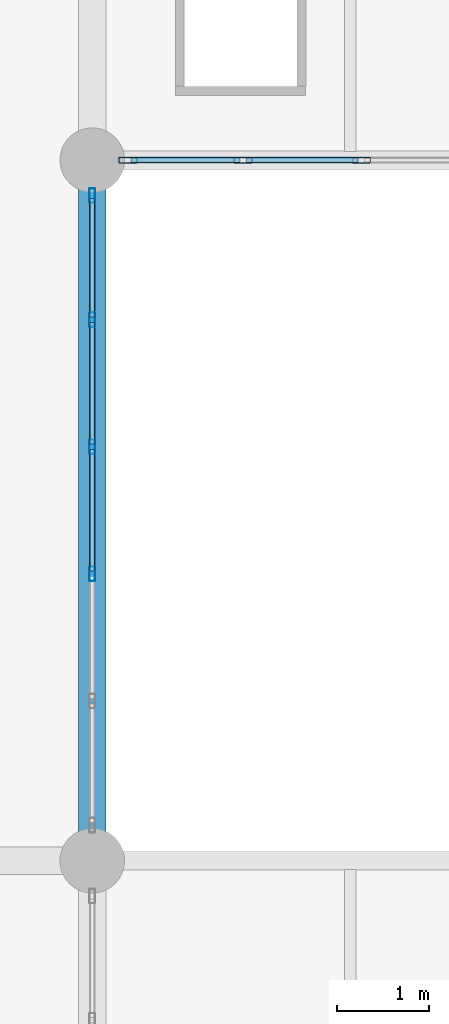
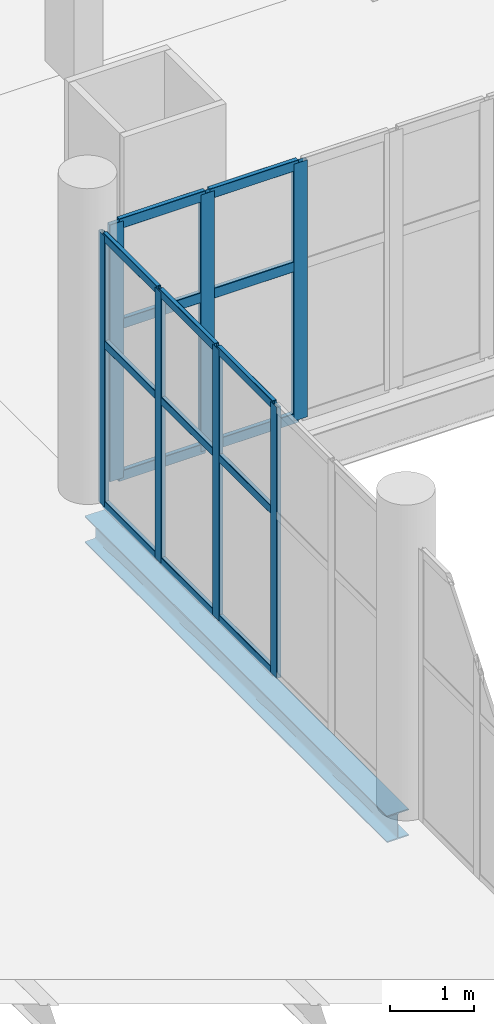
# One storey, part 41 of 136: 22 members, 1 beam, 2 elements without a shape of their own.
"""IFC4 building model written with IfcOpenShell, lengths in metres."""

from ifc_helpers import new_model, si_unit, direction, frame, origin, origin_2d, place, context, subcontext, project, spatial, hollow_rectangle, i_section, extrude, material, material_profile, profile_set, type_object, element, aggregate, save


model = new_model("IFC4")

# Units and contexts
model_context = context("Model", 3, precision=1e-05, world=origin(), true_north=direction((0.0, 1.0)))
body_context = subcontext(model_context, "Body", "Model", "MODEL_VIEW")
ifc_project = project(units=[si_unit("LENGTHUNIT", "METRE"), si_unit("AREAUNIT", "SQUARE_METRE"), si_unit("VOLUMEUNIT", "CUBIC_METRE"), si_unit("PLANEANGLEUNIT", "RADIAN"), si_unit("MASSUNIT", "GRAM", prefix="KILO")], contexts=[model_context])

# Site, building, storey
site_placement = place(None, origin())
site = spatial("IfcSite", under=ifc_project, at=site_placement, CompositionType="ELEMENT")
building_placement = place(site_placement, origin())
building = spatial("IfcBuilding", under=site, at=building_placement, Name="Shengluoqiao Park Theatre", CompositionType="ELEMENT")
storey_placement = place(building_placement, frame((0.0, 0.0, 10.0)))
storey = spatial("IfcBuildingStorey", under=building, at=storey_placement, Name="L02", CompositionType="ELEMENT", Elevation=10.0)

# Curtain wall, members
ifc_material_1 = material(Name="Aluminium 6063-T6", Category="aluminium")
curtain_wall_type_1 = type_object("IfcCurtainWallType", Name="ENV-CW-COURT", PredefinedType="NOTDEFINED", material=ifc_material_1)
curtain_wall_1_placement = place(storey_placement, origin())
curtain_wall_1 = element("IfcCurtainWall", 1, at=curtain_wall_1_placement, inside=storey, type_object=curtain_wall_type_1, Name="L02 Curtain Wall CWX-L02-0216", PredefinedType="NOTDEFINED")
ifc_material_profile_1 = material_profile(ifc_material_1, hollow_rectangle(XDim=0.06005859375, YDim=0.159912109375, WallThickness=0.00390625, InnerFilletRadius=0.00390625, OuterFilletRadius=0.008056640625, at=origin_2d()), Name="ALU MULLION 160x60x4")
ifc_profile_set_1 = profile_set([ifc_material_profile_1], Name="Aluminium 6063-T6")
member_type_1 = type_object("IfcMemberType", Name="ENV-MUL-160", PredefinedType="MULLION", material=ifc_profile_set_1)
member_1_placement = place(storey_placement, frame((44.39990234375, 63.910888671875, 0.0), z_axis=(0.0, 0.0, 1.0), x_axis=(-1.0, 0.0, 0.0)))
member_1 = element("IfcMember", 2, at=member_1_placement, type_object=member_type_1, Name="CW-05 mullion 3", PredefinedType="MULLION", context=body_context, shape_type="SweptSolid", body=[
    extrude(hollow_rectangle(XDim=0.06005859375, YDim=0.159912109375, WallThickness=0.00390625, InnerFilletRadius=0.00390625, OuterFilletRadius=0.008056640625, at=origin_2d()), origin(), (0.0, 0.0, 1.0), 3.947998046875),
])
member_2_placement = place(storey_placement, frame((44.39990234375, 65.289306640625, 0.0), z_axis=(0.0, 0.0, 1.0), x_axis=(-1.0, 0.0, 0.0)))
member_2 = element("IfcMember", 3, at=member_2_placement, type_object=member_type_1, Name="CW-05 mullion 4", PredefinedType="MULLION", context=body_context, shape_type="SweptSolid", body=[
    extrude(hollow_rectangle(XDim=0.06005859375, YDim=0.159912109375, WallThickness=0.00390625, InnerFilletRadius=0.00390625, OuterFilletRadius=0.008056640625, at=origin_2d()), origin(), (0.0, 0.0, 1.0), 3.947998046875),
])
member_3_placement = place(storey_placement, frame((44.39990234375, 66.66748046875, 0.0), z_axis=(0.0, 0.0, 1.0), x_axis=(-1.0, 0.0, 0.0)))
member_3 = element("IfcMember", 4, at=member_3_placement, type_object=member_type_1, Name="CW-05 mullion 5", PredefinedType="MULLION", context=body_context, shape_type="SweptSolid", body=[
    extrude(hollow_rectangle(XDim=0.06005859375, YDim=0.159912109375, WallThickness=0.00390625, InnerFilletRadius=0.00390625, OuterFilletRadius=0.008056640625, at=origin_2d()), origin(), (0.0, 0.0, 1.0), 3.947998046875),
])
member_4_placement = place(storey_placement, frame((44.39990234375, 68.01611328125, 0.0), z_axis=(0.0, 0.0, 1.0), x_axis=(-1.0, 0.0, 0.0)))
member_4 = element("IfcMember", 5, at=member_4_placement, type_object=member_type_1, Name="CW-05 mullion 6", PredefinedType="MULLION", context=body_context, shape_type="SweptSolid", body=[
    extrude(hollow_rectangle(XDim=0.06005859375, YDim=0.159912109375, WallThickness=0.00390625, InnerFilletRadius=0.00390625, OuterFilletRadius=0.008056640625, at=origin_2d()), origin(), (0.0, 0.0, 1.0), 3.947998046875),
])

curtain_wall_type_2 = type_object("IfcCurtainWallType", Name="ENV-CW-PROM", PredefinedType="NOTDEFINED", material=ifc_material_1)
curtain_wall_2_placement = place(storey_placement, origin())
curtain_wall_2 = element("IfcCurtainWall", 6, at=curtain_wall_2_placement, inside=storey, type_object=curtain_wall_type_2, Name="L02 Curtain Wall CW-L02-0066", PredefinedType="NOTDEFINED")
ifc_material_profile_2 = material_profile(ifc_material_1, hollow_rectangle(XDim=0.06494140625, YDim=0.199951171875, WallThickness=0.0048828125, InnerFilletRadius=0.0048828125, OuterFilletRadius=0.010009765625, at=origin_2d()), Name="ALU MULLION 200x65x5")
ifc_profile_set_2 = profile_set([ifc_material_profile_2], Name="Aluminium 6063-T6")
member_type_2 = type_object("IfcMemberType", Name="ENV-MUL-200", PredefinedType="MULLION", material=ifc_profile_set_2)
member_5_placement = place(storey_placement, frame((44.78662109375, 68.39990234375, 0.0), z_axis=(0.0, 0.0, 1.0), x_axis=(0.0, 1.0, 0.0)))
member_5 = element("IfcMember", 7, at=member_5_placement, type_object=member_type_2, Name="CW-04 mullion 1", PredefinedType="MULLION", context=body_context, shape_type="SweptSolid", body=[
    extrude(hollow_rectangle(XDim=0.06494140625, YDim=0.199951171875, WallThickness=0.0048828125, InnerFilletRadius=0.0048828125, OuterFilletRadius=0.010009765625, at=origin_2d()), origin(), (0.0, 0.0, 1.0), 3.741943359375),
])
member_6_placement = place(storey_placement, frame((46.035888671875, 68.39990234375, 0.0), z_axis=(0.0, 0.0, 1.0), x_axis=(0.0, 1.0, 0.0)))
member_6 = element("IfcMember", 8, at=member_6_placement, type_object=member_type_2, Name="CW-04 mullion 2", PredefinedType="MULLION", context=body_context, shape_type="SweptSolid", body=[
    extrude(hollow_rectangle(XDim=0.06494140625, YDim=0.199951171875, WallThickness=0.0048828125, InnerFilletRadius=0.0048828125, OuterFilletRadius=0.010009765625, at=origin_2d()), origin(), (0.0, 0.0, 1.0), 3.741943359375),
])
member_7_placement = place(storey_placement, frame((47.318115234375, 68.39990234375, 0.0), z_axis=(0.0, 0.0, 1.0), x_axis=(0.0, 1.0, 0.0)))
member_7 = element("IfcMember", 9, at=member_7_placement, type_object=member_type_2, Name="CW-04 mullion 3", PredefinedType="MULLION", context=body_context, shape_type="SweptSolid", body=[
    extrude(hollow_rectangle(XDim=0.06494140625, YDim=0.199951171875, WallThickness=0.0048828125, InnerFilletRadius=0.0048828125, OuterFilletRadius=0.010009765625, at=origin_2d()), origin(), (0.0, 0.0, 1.0), 3.741943359375),
])

# Member
ifc_material_profile_3 = material_profile(ifc_material_1, hollow_rectangle(XDim=0.06005859375, YDim=0.1201171875, WallThickness=0.00390625, InnerFilletRadius=0.00390625, OuterFilletRadius=0.008056640625, at=origin_2d()), Name="ALU TRANSOM 120x60x4")
ifc_profile_set_3 = profile_set([ifc_material_profile_3], Name="Aluminium 6063-T6")
member_type_3 = type_object("IfcMemberType", Name="ENV-TRN-120", PredefinedType="USERDEFINED", material=ifc_profile_set_3)
member_8_placement = place(storey_placement, frame((44.39990234375, 63.94091796875, 0.030029296875), z_axis=(0.0, 1.0, 0.0), x_axis=(-1.0, 0.0, 0.0)))
member_8 = element("IfcMember", 10, at=member_8_placement, type_object=member_type_3, Name="CW-05 transom 3.1", ObjectType="TRANSOM", PredefinedType="USERDEFINED", context=body_context, shape_type="SweptSolid", body=[
    extrude(hollow_rectangle(XDim=0.06005859375, YDim=0.1201171875, WallThickness=0.00390625, InnerFilletRadius=0.00390625, OuterFilletRadius=0.008056640625, at=origin_2d()), origin(), (0.0, 0.0, 1.0), 1.318359375),
])

member_9_placement = place(storey_placement, frame((44.39990234375, 63.94091796875, 2.368896484375), z_axis=(0.0, 1.0, 0.0), x_axis=(-1.0, 0.0, 0.0)))
member_9 = element("IfcMember", 11, at=member_9_placement, type_object=member_type_3, Name="CW-05 transom 3.2", ObjectType="TRANSOM", PredefinedType="USERDEFINED", context=body_context, shape_type="SweptSolid", body=[
    extrude(hollow_rectangle(XDim=0.06005859375, YDim=0.1201171875, WallThickness=0.00390625, InnerFilletRadius=0.00390625, OuterFilletRadius=0.008056640625, at=origin_2d()), origin(), (0.0, 0.0, 1.0), 1.318359375),
])

member_10_placement = place(storey_placement, frame((44.39990234375, 63.94091796875, 3.91796875), z_axis=(0.0, 1.0, 0.0), x_axis=(-1.0, 0.0, 0.0)))
member_10 = element("IfcMember", 12, at=member_10_placement, type_object=member_type_3, Name="CW-05 transom 3.3", ObjectType="TRANSOM", PredefinedType="USERDEFINED", context=body_context, shape_type="SweptSolid", body=[
    extrude(hollow_rectangle(XDim=0.06005859375, YDim=0.1201171875, WallThickness=0.00390625, InnerFilletRadius=0.00390625, OuterFilletRadius=0.008056640625, at=origin_2d()), origin(), (0.0, 0.0, 1.0), 1.318359375),
])

member_11_placement = place(storey_placement, frame((44.39990234375, 65.319091796875, 0.030029296875), z_axis=(0.0, 1.0, 0.0), x_axis=(-1.0, 0.0, 0.0)))
member_11 = element("IfcMember", 13, at=member_11_placement, type_object=member_type_3, Name="CW-05 transom 4.1", ObjectType="TRANSOM", PredefinedType="USERDEFINED", context=body_context, shape_type="SweptSolid", body=[
    extrude(hollow_rectangle(XDim=0.06005859375, YDim=0.1201171875, WallThickness=0.00390625, InnerFilletRadius=0.00390625, OuterFilletRadius=0.008056640625, at=origin_2d()), origin(), (0.0, 0.0, 1.0), 1.318603515625),
])

member_12_placement = place(storey_placement, frame((44.39990234375, 65.319091796875, 2.368896484375), z_axis=(0.0, 1.0, 0.0), x_axis=(-1.0, 0.0, 0.0)))
member_12 = element("IfcMember", 14, at=member_12_placement, type_object=member_type_3, Name="CW-05 transom 4.2", ObjectType="TRANSOM", PredefinedType="USERDEFINED", context=body_context, shape_type="SweptSolid", body=[
    extrude(hollow_rectangle(XDim=0.06005859375, YDim=0.1201171875, WallThickness=0.00390625, InnerFilletRadius=0.00390625, OuterFilletRadius=0.008056640625, at=origin_2d()), origin(), (0.0, 0.0, 1.0), 1.318603515625),
])

member_13_placement = place(storey_placement, frame((44.39990234375, 65.319091796875, 3.91796875), z_axis=(0.0, 1.0, 0.0), x_axis=(-1.0, 0.0, 0.0)))
member_13 = element("IfcMember", 15, at=member_13_placement, type_object=member_type_3, Name="CW-05 transom 4.3", ObjectType="TRANSOM", PredefinedType="USERDEFINED", context=body_context, shape_type="SweptSolid", body=[
    extrude(hollow_rectangle(XDim=0.06005859375, YDim=0.1201171875, WallThickness=0.00390625, InnerFilletRadius=0.00390625, OuterFilletRadius=0.008056640625, at=origin_2d()), origin(), (0.0, 0.0, 1.0), 1.318603515625),
])

member_14_placement = place(storey_placement, frame((44.39990234375, 66.697509765625, 0.030029296875), z_axis=(0.0, 1.0, 0.0), x_axis=(-1.0, 0.0, 0.0)))
member_14 = element("IfcMember", 16, at=member_14_placement, type_object=member_type_3, Name="CW-05 transom 5.1", ObjectType="TRANSOM", PredefinedType="USERDEFINED", context=body_context, shape_type="SweptSolid", body=[
    extrude(hollow_rectangle(XDim=0.06005859375, YDim=0.1201171875, WallThickness=0.00390625, InnerFilletRadius=0.00390625, OuterFilletRadius=0.008056640625, at=origin_2d()), origin(), (0.0, 0.0, 1.0), 1.28857421875),
])

member_15_placement = place(storey_placement, frame((44.39990234375, 66.697509765625, 2.368896484375), z_axis=(0.0, 1.0, 0.0), x_axis=(-1.0, 0.0, 0.0)))
member_15 = element("IfcMember", 17, at=member_15_placement, type_object=member_type_3, Name="CW-05 transom 5.2", ObjectType="TRANSOM", PredefinedType="USERDEFINED", context=body_context, shape_type="SweptSolid", body=[
    extrude(hollow_rectangle(XDim=0.06005859375, YDim=0.1201171875, WallThickness=0.00390625, InnerFilletRadius=0.00390625, OuterFilletRadius=0.008056640625, at=origin_2d()), origin(), (0.0, 0.0, 1.0), 1.28857421875),
])

member_16_placement = place(storey_placement, frame((44.39990234375, 66.697509765625, 3.91796875), z_axis=(0.0, 1.0, 0.0), x_axis=(-1.0, 0.0, 0.0)))
member_16 = element("IfcMember", 18, at=member_16_placement, type_object=member_type_3, Name="CW-05 transom 5.3", ObjectType="TRANSOM", PredefinedType="USERDEFINED", context=body_context, shape_type="SweptSolid", body=[
    extrude(hollow_rectangle(XDim=0.06005859375, YDim=0.1201171875, WallThickness=0.00390625, InnerFilletRadius=0.00390625, OuterFilletRadius=0.008056640625, at=origin_2d()), origin(), (0.0, 0.0, 1.0), 1.28857421875),
])

aggregate(curtain_wall_1, [member_1, member_2, member_3, member_4, member_8, member_9, member_10, member_11, member_12, member_13, member_14, member_15, member_16])

ifc_material_profile_4 = material_profile(ifc_material_1, hollow_rectangle(XDim=0.06494140625, YDim=0.14990234375, WallThickness=0.00390625, InnerFilletRadius=0.00390625, OuterFilletRadius=0.008056640625, at=origin_2d()), Name="ALU TRANSOM 150x65x4")
ifc_profile_set_4 = profile_set([ifc_material_profile_4], Name="Aluminium 6063-T6")
member_type_4 = type_object("IfcMemberType", Name="ENV-TRN-150", PredefinedType="USERDEFINED", material=ifc_profile_set_4)
member_17_placement = place(storey_placement, frame((44.819091796875, 68.39990234375, 0.032470703125), z_axis=(1.0, 0.0, 0.0), x_axis=(0.0, 1.0, 0.0)))
member_17 = element("IfcMember", 19, at=member_17_placement, type_object=member_type_4, Name="CW-04 transom 1.1", ObjectType="TRANSOM", PredefinedType="USERDEFINED", context=body_context, shape_type="SweptSolid", body=[
    extrude(hollow_rectangle(XDim=0.06494140625, YDim=0.14990234375, WallThickness=0.00390625, InnerFilletRadius=0.00390625, OuterFilletRadius=0.008056640625, at=origin_2d()), origin(), (0.0, 0.0, 1.0), 1.184326171875),
])

member_18_placement = place(storey_placement, frame((44.819091796875, 68.39990234375, 2.2451171875), z_axis=(1.0, 0.0, 0.0), x_axis=(0.0, 1.0, 0.0)))
member_18 = element("IfcMember", 20, at=member_18_placement, type_object=member_type_4, Name="CW-04 transom 1.2", ObjectType="TRANSOM", PredefinedType="USERDEFINED", context=body_context, shape_type="SweptSolid", body=[
    extrude(hollow_rectangle(XDim=0.06494140625, YDim=0.14990234375, WallThickness=0.00390625, InnerFilletRadius=0.00390625, OuterFilletRadius=0.008056640625, at=origin_2d()), origin(), (0.0, 0.0, 1.0), 1.184326171875),
])

member_19_placement = place(storey_placement, frame((44.819091796875, 68.39990234375, 3.70947265625), z_axis=(1.0, 0.0, 0.0), x_axis=(0.0, 1.0, 0.0)))
member_19 = element("IfcMember", 21, at=member_19_placement, type_object=member_type_4, Name="CW-04 transom 1.3", ObjectType="TRANSOM", PredefinedType="USERDEFINED", context=body_context, shape_type="SweptSolid", body=[
    extrude(hollow_rectangle(XDim=0.06494140625, YDim=0.14990234375, WallThickness=0.00390625, InnerFilletRadius=0.00390625, OuterFilletRadius=0.008056640625, at=origin_2d()), origin(), (0.0, 0.0, 1.0), 1.184326171875),
])

member_20_placement = place(storey_placement, frame((46.068603515625, 68.39990234375, 0.032470703125), z_axis=(1.0, 0.0, 0.0), x_axis=(0.0, 1.0, 0.0)))
member_20 = element("IfcMember", 22, at=member_20_placement, type_object=member_type_4, Name="CW-04 transom 2.1", ObjectType="TRANSOM", PredefinedType="USERDEFINED", context=body_context, shape_type="SweptSolid", body=[
    extrude(hollow_rectangle(XDim=0.06494140625, YDim=0.14990234375, WallThickness=0.00390625, InnerFilletRadius=0.00390625, OuterFilletRadius=0.008056640625, at=origin_2d()), origin(), (0.0, 0.0, 1.0), 1.216796875),
])

member_21_placement = place(storey_placement, frame((46.068603515625, 68.39990234375, 2.2451171875), z_axis=(1.0, 0.0, 0.0), x_axis=(0.0, 1.0, 0.0)))
member_21 = element("IfcMember", 23, at=member_21_placement, type_object=member_type_4, Name="CW-04 transom 2.2", ObjectType="TRANSOM", PredefinedType="USERDEFINED", context=body_context, shape_type="SweptSolid", body=[
    extrude(hollow_rectangle(XDim=0.06494140625, YDim=0.14990234375, WallThickness=0.00390625, InnerFilletRadius=0.00390625, OuterFilletRadius=0.008056640625, at=origin_2d()), origin(), (0.0, 0.0, 1.0), 1.216796875),
])

member_22_placement = place(storey_placement, frame((46.068603515625, 68.39990234375, 3.70947265625), z_axis=(1.0, 0.0, 0.0), x_axis=(0.0, 1.0, 0.0)))
member_22 = element("IfcMember", 24, at=member_22_placement, type_object=member_type_4, Name="CW-04 transom 2.3", ObjectType="TRANSOM", PredefinedType="USERDEFINED", context=body_context, shape_type="SweptSolid", body=[
    extrude(hollow_rectangle(XDim=0.06494140625, YDim=0.14990234375, WallThickness=0.00390625, InnerFilletRadius=0.00390625, OuterFilletRadius=0.008056640625, at=origin_2d()), origin(), (0.0, 0.0, 1.0), 1.216796875),
])

aggregate(curtain_wall_2, [member_5, member_6, member_7, member_17, member_18, member_19, member_20, member_21, member_22])

# Beam
ifc_material_2 = material(Name="Steel Q355", Category="steel")
ifc_material_profile_5 = material_profile(ifc_material_2, i_section(OverallWidth=0.300048828125, OverallDepth=0.389892578125, WebThickness=0.010009765625, FlangeThickness=0.01611328125, FilletRadius=0.01806640625, at=origin_2d()), Name="HM 390x300x10x16")
ifc_profile_set_5 = profile_set([ifc_material_profile_5], Name="Steel Q355")
beam_type = type_object("IfcBeamType", Name="STR-BM-G-HM390", PredefinedType="BEAM", material=ifc_profile_set_5)
beam_placement = place(storey_placement, frame((44.39990234375, 60.993896484375, -0.43505859375), z_axis=(0.0, 1.0, 0.0), x_axis=(-1.0, 0.0, 0.0)))
element("IfcBeam", 25, at=beam_placement, inside=storey, type_object=beam_type, Name="L02 Transverse Girder 00980", PredefinedType="BEAM", context=body_context, shape_type="SweptSolid", body=[
    extrude(i_section(OverallWidth=0.300048828125, OverallDepth=0.389892578125, WebThickness=0.010009765625, FlangeThickness=0.01611328125, FilletRadius=0.01806640625, at=origin_2d()), origin(), (0.0, 0.0, 1.0), 7.212158203125),
])

save(model, "model.ifc")
